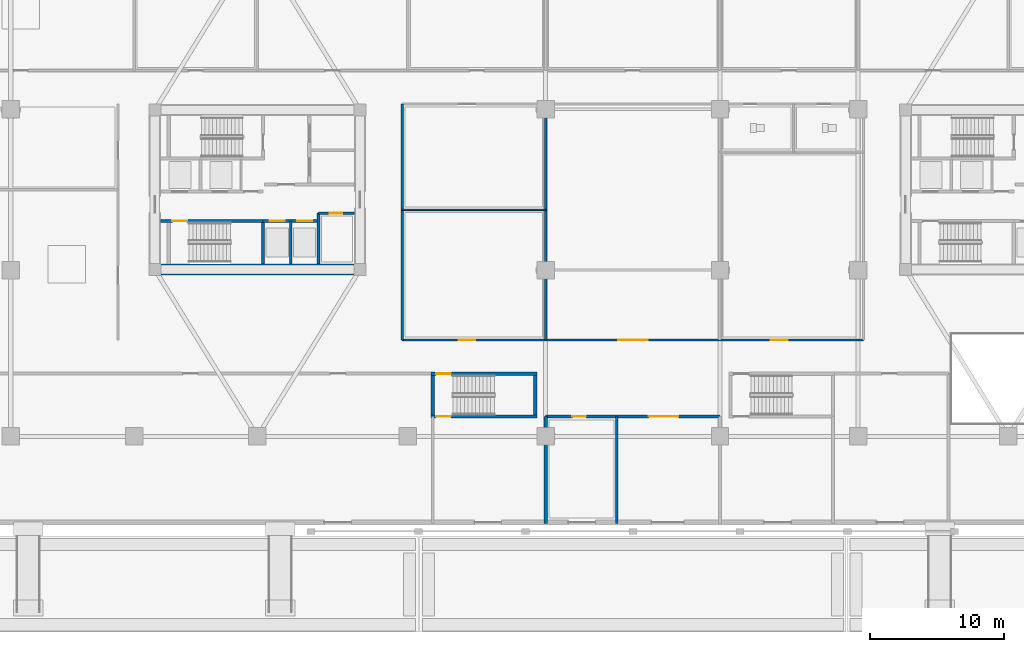
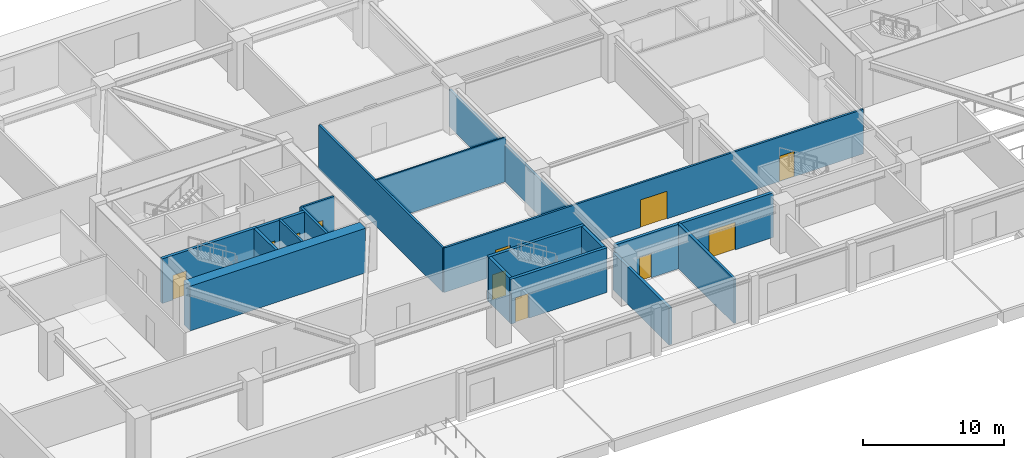
# One storey, part 5 of 22: 18 walls, 11 doors, 11 openings.
"""IFC4 building model written with IfcOpenShell, lengths in metres."""

from ifc_helpers import new_model, si_unit, direction, frame, frame_2d, origin, place, context, subcontext, project, spatial, rectangle, extrude, source, transform, mapped, material, layer, layer_set, type_object, type_shapes, element, fill, save


model = new_model("IFC4")

# Units and contexts
model_context = context("Model", 3, precision=1e-05, world=origin(), true_north=direction((0.0, 1.0)))
body_context = subcontext(model_context, "Body", "Model", "MODEL_VIEW")
ifc_project = project(units=[si_unit("LENGTHUNIT", "METRE"), si_unit("AREAUNIT", "SQUARE_METRE"), si_unit("VOLUMEUNIT", "CUBIC_METRE"), si_unit("PLANEANGLEUNIT", "RADIAN"), si_unit("MASSUNIT", "GRAM", prefix="KILO")], contexts=[model_context])

# Site, building, storey
site_placement = place(None, origin())
site = spatial("IfcSite", under=ifc_project, at=site_placement, CompositionType="ELEMENT")
building_placement = place(site_placement, origin())
building = spatial("IfcBuilding", under=site, at=building_placement, Name="Norrkilde Senior Care Towers", CompositionType="ELEMENT")
storey_placement = place(building_placement, origin())
storey = spatial("IfcBuildingStorey", under=building, at=storey_placement, Name="L00", CompositionType="ELEMENT", Elevation=0.0)

# Wall
ifc_material_1 = material(Name="Concrete C60/75", Category="concrete")
ifc_layer_1 = layer(ifc_material_1, 0.85009765625)
ifc_layer_set_1 = layer_set([ifc_layer_1], Name="Concrete C60/75")
wall_type_1 = type_object("IfcWallType", Name="Core Shear Wall Z1 850", PredefinedType="SHEAR", material=ifc_layer_set_1)
shared_shape_1 = source(origin(), body_context, "Body", "SweptSolid", [
    extrude(rectangle(XDim=14.39990234375, YDim=0.85009765625, at=frame_2d((7.199951171875, 0.0))), origin(), (0.0, 0.0, 1.0), 3.8798828125),
])
type_shapes(wall_type_1, [shared_shape_1])
wall_1_placement = place(storey_placement, frame((-20.800048828125, -5.949951171875, 0.0), z_axis=(0.0, 0.0, 1.0), x_axis=(-1.0, 0.0, 0.0)))
element("IfcWall", 1, at=wall_1_placement, inside=storey, type_object=wall_type_1, Name="L00 Core W South Shear Wall", PredefinedType="SHEAR", context=body_context, shape_type="MappedRepresentation", body=[
    mapped(shared_shape_1, transform((0.0, 0.0, 0.0), x_axis=(1.0, 0.0, 0.0), y_axis=(0.0, 1.0, 0.0), z_axis=(0.0, 0.0, 1.0), scale=1.0)),
])

# Wall, opening, door
ifc_material_2 = material(Name="Concrete C45/55", Category="concrete")
ifc_layer_2 = layer(ifc_material_2, 0.239990234375)
ifc_layer_set_2 = layer_set([ifc_layer_2], Name="Concrete C45/55")
wall_type_2 = type_object("IfcWallType", Name="Shaft and Stair Enclosure Wall 240", PredefinedType="PARTITIONING", material=ifc_layer_set_2)
shared_shape_2 = source(origin(), body_context, "Body", "SweptSolid", [
    extrude(rectangle(XDim=7.76513671875, YDim=0.239990234375, at=frame_2d((3.882568359375, 0.0))), origin(), (0.0, 0.0, 1.0), 3.8798828125),
])
wall_2_placement = place(storey_placement, frame((-35.22509765625, -2.330078125, 0.0), z_axis=(0.0, 0.0, 1.0), x_axis=(1.0, 0.0, 0.0)))
wall_2 = element("IfcWall", 2, at=wall_2_placement, inside=storey, type_object=wall_type_2, Name="WL-INT-L00-W-ST2N", PredefinedType="PARTITIONING", context=body_context, shape_type="MappedRepresentation", body=[
    mapped(shared_shape_2, transform((0.0, 0.0, 0.0), x_axis=(1.0, 0.0, 0.0), y_axis=(0.0, 1.0, 0.0), z_axis=(0.0, 0.0, 1.0), scale=1.0)),
])
opening_1_placement = place(wall_2_placement, frame((0.885009765625, 0.0, 0.0)))
opening_1 = element("IfcOpeningElement", 3, at=opening_1_placement, cuts=wall_2, Name="Opening D-03", PredefinedType="OPENING", context=body_context, shape_type="SweptSolid", body=[
    extrude(rectangle(XDim=1.10009765625, YDim=2.14990234375, at=frame_2d((0.550048828125, 1.074951171875))), frame((0.0, 0.1298828125, 0.0), z_axis=(0.0, -1.0, 0.0), x_axis=(1.0, 0.0, 0.0)), (0.0, 0.0, 1.0), 0.260009765625),
])
ifc_material_3 = material(Name="Galvanised Painted Steel", Category="steel")
door_type_1 = type_object("IfcDoorType", Name="Stairwell Protected Fire Door 1100x2150", OperationType="NOTDEFINED", PredefinedType="DOOR", material=ifc_material_3)
shared_shape_3 = source(origin(), body_context, "Body", "SweptSolid", [
    extrude(rectangle(XDim=1.10009765625, YDim=2.14990234375, at=frame_2d((0.550048828125, 1.074951171875))), frame((0.0, 0.02490234375, 0.0), z_axis=(0.0, -1.0, 0.0), x_axis=(1.0, 0.0, 0.0)), (0.0, 0.0, 1.0), 0.050048828125),
])
type_shapes(door_type_1, [shared_shape_3])
door_1_placement = place(opening_1_placement, frame((1.10009765625, 0.0, 0.0), z_axis=(0.0, 0.0, 1.0), x_axis=(-1.0, 0.0, 0.0)))
door_1 = element("IfcDoor", 4, at=door_1_placement, inside=storey, type_object=door_type_1, Name="L00 Stair W2 Fire Door", OperationType="SINGLE_SWING_RIGHT", OverallHeight=2.14990234375, OverallWidth=1.10009765625, PredefinedType="DOOR", context=body_context, shape_type="MappedRepresentation", body=[
    mapped(shared_shape_3, transform((0.0, 0.0, 0.0), x_axis=(1.0, 0.0, 0.0), y_axis=(0.0, 1.0, 0.0), z_axis=(0.0, 0.0, 1.0), scale=1.0)),
])
fill(opening_1, door_1)

# Walls
shared_shape_4 = source(origin(), body_context, "Body", "SweptSolid", [
    extrude(rectangle(XDim=3.074951171875, YDim=0.239990234375, at=frame_2d((1.53759765625, 0.0))), origin(), (0.0, 0.0, 1.0), 3.8798828125),
])
wall_3_placement = place(storey_placement, frame((-27.580078125, -5.52490234375, 0.0), z_axis=(0.0, 0.0, 1.0), x_axis=(0.0, 1.0, 0.0)))
element("IfcWall", 5, at=wall_3_placement, inside=storey, type_object=wall_type_2, Name="WL-INT-L00-W-ST2E", PredefinedType="PARTITIONING", context=body_context, shape_type="MappedRepresentation", body=[
    mapped(shared_shape_4, transform((0.0, 0.0, 0.0), x_axis=(1.0, 0.0, 0.0), y_axis=(0.0, 1.0, 0.0), z_axis=(0.0, 0.0, 1.0), scale=1.0)),
])
ifc_layer_3 = layer(ifc_material_2, 0.199951171875)
ifc_layer_set_3 = layer_set([ifc_layer_3], Name="Concrete C45/55")
wall_type_3 = type_object("IfcWallType", Name="Shaft Division and Plant Partition 200", PredefinedType="PARTITIONING", material=ifc_layer_set_3)
shared_shape_5 = source(origin(), body_context, "Body", "SweptSolid", [
    extrude(rectangle(XDim=3.800048828125, YDim=0.199951171875, at=frame_2d((1.89990234375, 0.0))), origin(), (0.0, 0.0, 1.0), 3.864990234375),
])
wall_4_placement = place(storey_placement, frame((-23.449951171875, -5.550048828125, 0.0), z_axis=(0.0, 0.0, 1.0), x_axis=(0.0, 1.0, 0.0)))
element("IfcWall", 6, at=wall_4_placement, inside=storey, type_object=wall_type_3, Name="WL-INT-L00-W-PKBE", PredefinedType="PARTITIONING", context=body_context, shape_type="MappedRepresentation", body=[
    mapped(shared_shape_5, transform((0.0, 0.0, 0.0), x_axis=(1.0, 0.0, 0.0), y_axis=(0.0, 1.0, 0.0), z_axis=(0.0, 0.0, 1.0), scale=1.0)),
])

# Wall, openings, doors
ifc_layer_4 = layer(ifc_material_2, 0.239990234375)
ifc_layer_set_4 = layer_set([ifc_layer_4], Name="Concrete C45/55")
wall_type_4 = type_object("IfcWallType", Name="Lift and Plant Rated Enclosure Partition 240", PredefinedType="PARTITIONING", material=ifc_layer_set_4)
shared_shape_6 = source(origin(), body_context, "Body", "SweptSolid", [
    extrude(rectangle(XDim=4.130126953125, YDim=0.239990234375, at=frame_2d((2.06494140625, 0.0))), origin(), (0.0, 0.0, 1.0), 3.864990234375),
])
wall_5_placement = place(storey_placement, frame((-27.580078125, -2.330078125, 0.0), z_axis=(0.0, 0.0, 1.0), x_axis=(1.0, 0.0, 0.0)))
wall_5 = element("IfcWall", 7, at=wall_5_placement, inside=storey, type_object=wall_type_4, Name="WL-INT-L00-W-PKBN", PredefinedType="PARTITIONING", context=body_context, shape_type="MappedRepresentation", body=[
    mapped(shared_shape_6, transform((0.0, 0.0, 0.0), x_axis=(1.0, 0.0, 0.0), y_axis=(0.0, 1.0, 0.0), z_axis=(0.0, 0.0, 1.0), scale=1.0)),
])
opening_2_placement = place(wall_5_placement, frame((0.5, 0.0, 0.0)))
opening_2 = element("IfcOpeningElement", 8, at=opening_2_placement, cuts=wall_5, Name="Opening LD-01", PredefinedType="OPENING", context=body_context, shape_type="SweptSolid", body=[
    extrude(rectangle(XDim=1.10009765625, YDim=2.199951171875, at=frame_2d((0.550048828125, 1.10009765625))), frame((0.0, 0.1298828125, 0.0), z_axis=(0.0, -1.0, 0.0), x_axis=(1.0, 0.0, 0.0)), (0.0, 0.0, 1.0), 0.260009765625),
])
opening_3_placement = place(wall_5_placement, frame((2.550048828125, 0.0, 0.0)))
opening_3 = element("IfcOpeningElement", 9, at=opening_3_placement, cuts=wall_5, Name="Opening LD-01", PredefinedType="OPENING", context=body_context, shape_type="SweptSolid", body=[
    extrude(rectangle(XDim=1.10009765625, YDim=2.199951171875, at=frame_2d((0.550048828125, 1.10009765625))), frame((0.0, 0.1298828125, 0.0), z_axis=(0.0, -1.0, 0.0), x_axis=(1.0, 0.0, 0.0)), (0.0, 0.0, 1.0), 0.260009765625),
])
ifc_material_4 = material(Name="Stainless Steel", Category="steel")
door_type_2 = type_object("IfcDoorType", Name="Lift Landing Sliding Door 1100x2200", OperationType="NOTDEFINED", PredefinedType="DOOR", material=ifc_material_4)
shared_shape_7 = source(origin(), body_context, "Body", "SweptSolid", [
    extrude(rectangle(XDim=1.10009765625, YDim=2.199951171875, at=frame_2d((0.550048828125, 1.10009765625))), frame((0.0, 0.02490234375, 0.0), z_axis=(0.0, -1.0, 0.0), x_axis=(1.0, 0.0, 0.0)), (0.0, 0.0, 1.0), 0.050048828125),
])
type_shapes(door_type_2, [shared_shape_7])
door_2_placement = place(opening_2_placement, frame((1.10009765625, 0.0, 0.0), z_axis=(0.0, 0.0, 1.0), x_axis=(-1.0, 0.0, 0.0)))
door_2 = element("IfcDoor", 10, at=door_2_placement, inside=storey, type_object=door_type_2, Name="L00 Passenger Lift W3 Landing Door", OperationType="SLIDING_TO_LEFT", OverallHeight=2.199951171875, OverallWidth=1.10009765625, PredefinedType="DOOR", context=body_context, shape_type="MappedRepresentation", body=[
    mapped(shared_shape_7, transform((0.0, 0.0, 0.0), x_axis=(1.0, 0.0, 0.0), y_axis=(0.0, 1.0, 0.0), z_axis=(0.0, 0.0, 1.0), scale=1.0)),
])
fill(opening_2, door_2)
door_3_placement = place(opening_3_placement, frame((1.10009765625, 0.0, 0.0), z_axis=(0.0, 0.0, 1.0), x_axis=(-1.0, 0.0, 0.0)))
door_3 = element("IfcDoor", 11, at=door_3_placement, inside=storey, type_object=door_type_2, Name="L00 Passenger Lift W4 Landing Door", OperationType="SLIDING_TO_RIGHT", OverallHeight=2.199951171875, OverallWidth=1.10009765625, PredefinedType="DOOR", context=body_context, shape_type="MappedRepresentation", body=[
    mapped(shared_shape_7, transform((0.0, 0.0, 0.0), x_axis=(1.0, 0.0, 0.0), y_axis=(0.0, 1.0, 0.0), z_axis=(0.0, 0.0, 1.0), scale=1.0)),
])
fill(opening_3, door_3)

# Wall
ifc_layer_5 = layer(ifc_material_2, 0.179931640625)
ifc_layer_set_5 = layer_set([ifc_layer_5], Name="Concrete C45/55")
wall_type_5 = type_object("IfcWallType", Name="Hoistway Division Rated Partition 180", PredefinedType="PARTITIONING", material=ifc_layer_set_5)
shared_shape_8 = source(origin(), body_context, "Body", "SweptSolid", [
    extrude(rectangle(XDim=3.219970703125, YDim=0.179931640625, at=frame_2d((1.60986328125, 0.0))), origin(), (0.0, 0.0, 1.0), 3.864990234375),
])
type_shapes(wall_type_5, [shared_shape_8])
wall_6_placement = place(storey_placement, frame((-25.5, -5.550048828125, 0.0), z_axis=(0.0, 0.0, 1.0), x_axis=(0.0, 1.0, 0.0)))
element("IfcWall", 12, at=wall_6_placement, inside=storey, type_object=wall_type_5, Name="WL-INT-L00-W-PL34", PredefinedType="PARTITIONING", context=body_context, shape_type="MappedRepresentation", body=[
    mapped(shared_shape_8, transform((0.0, 0.0, 0.0), x_axis=(1.0, 0.0, 0.0), y_axis=(0.0, 1.0, 0.0), z_axis=(0.0, 0.0, 1.0), scale=1.0)),
])

# Wall, opening, door
ifc_material_5 = material(Name="Gypsum Acoustic Board")
ifc_layer_6 = layer(ifc_material_5, 0.1650390625)
ifc_layer_set_6 = layer_set([ifc_layer_6], Name="Gypsum Acoustic Board")
wall_type_6 = type_object("IfcWallType", Name="Corridor Rated Partition 165", PredefinedType="PARTITIONING", material=ifc_layer_set_6)
shared_shape_9 = source(origin(), body_context, "Body", "SweptSolid", [
    extrude(rectangle(XDim=2.699951171875, YDim=0.1650390625, at=frame_2d((1.35009765625, 0.0))), origin(), (0.0, 0.0, 1.0), 3.864990234375),
])
wall_7_placement = place(storey_placement, frame((-23.449951171875, -1.75, 0.0), z_axis=(0.0, 0.0, 1.0), x_axis=(1.0, 0.0, 0.0)))
wall_7 = element("IfcWall", 13, at=wall_7_placement, inside=storey, type_object=wall_type_6, Name="WL-INT-L00-W-CSN", PredefinedType="PARTITIONING", context=body_context, shape_type="MappedRepresentation", body=[
    mapped(shared_shape_9, transform((0.0, 0.0, 0.0), x_axis=(1.0, 0.0, 0.0), y_axis=(0.0, 1.0, 0.0), z_axis=(0.0, 0.0, 1.0), scale=1.0)),
])
opening_4_placement = place(wall_7_placement, frame((0.85009765625, 0.0, 0.0)))
opening_4 = element("IfcOpeningElement", 14, at=opening_4_placement, cuts=wall_7, Name="Opening D-12", PredefinedType="OPENING", context=body_context, shape_type="SweptSolid", body=[
    extrude(rectangle(XDim=0.925048828125, YDim=2.10009765625, at=frame_2d((0.46240234375, 1.050048828125))), frame((0.0, 0.092529296875, 0.0), z_axis=(0.0, -1.0, 0.0), x_axis=(1.0, 0.0, 0.0)), (0.0, 0.0, 1.0), 0.18505859375),
])
door_type_3 = type_object("IfcDoorType", Name="Core Wet Room Rated Door 925x2100", OperationType="NOTDEFINED", PredefinedType="DOOR", material=ifc_material_3)
shared_shape_10 = source(origin(), body_context, "Body", "SweptSolid", [
    extrude(rectangle(XDim=0.925048828125, YDim=2.10009765625, at=frame_2d((0.46240234375, 1.050048828125))), frame((0.0, 0.02490234375, 0.0), z_axis=(0.0, -1.0, 0.0), x_axis=(1.0, 0.0, 0.0)), (0.0, 0.0, 1.0), 0.050048828125),
])
type_shapes(door_type_3, [shared_shape_10])
door_4_placement = place(opening_4_placement, origin())
door_4 = element("IfcDoor", 15, at=door_4_placement, inside=storey, type_object=door_type_3, Name="L00 Core Utility W Door", OperationType="SINGLE_SWING_LEFT", OverallHeight=2.10009765625, OverallWidth=0.925048828125, PredefinedType="DOOR", context=body_context, shape_type="MappedRepresentation", body=[
    mapped(shared_shape_10, transform((0.0, 0.0, 0.0), x_axis=(1.0, 0.0, 0.0), y_axis=(0.0, 1.0, 0.0), z_axis=(0.0, 0.0, 1.0), scale=1.0)),
])
fill(opening_4, door_4)

shared_shape_11 = source(origin(), body_context, "Body", "SweptSolid", [
    extrude(rectangle(XDim=7.880126953125, YDim=0.239990234375, at=frame_2d((3.93994140625, 0.0))), origin(), (0.0, 0.0, 1.0), 3.8798828125),
])
wall_8_placement = place(storey_placement, frame((-15.0400390625, -13.72998046875, 0.0), z_axis=(0.0, 0.0, 1.0), x_axis=(1.0, 0.0, 0.0)))
wall_8 = element("IfcWall", 16, at=wall_8_placement, inside=storey, type_object=wall_type_2, Name="WL-INT-L00-STP1-N", PredefinedType="PARTITIONING", context=body_context, shape_type="MappedRepresentation", body=[
    mapped(shared_shape_11, transform((0.0, 0.0, 0.0), x_axis=(1.0, 0.0, 0.0), y_axis=(0.0, 1.0, 0.0), z_axis=(0.0, 0.0, 1.0), scale=1.0)),
])
opening_5_placement = place(wall_8_placement, frame((0.3701171875, 0.0, 0.0)))
opening_5 = element("IfcOpeningElement", 17, at=opening_5_placement, cuts=wall_8, Name="Opening D-03", PredefinedType="OPENING", context=body_context, shape_type="SweptSolid", body=[
    extrude(rectangle(XDim=1.10009765625, YDim=2.14990234375, at=frame_2d((0.550048828125, 1.074951171875))), frame((0.0, 0.1298828125, 0.0), z_axis=(0.0, -1.0, 0.0), x_axis=(1.0, 0.0, 0.0)), (0.0, 0.0, 1.0), 0.260009765625),
])
door_5_placement = place(opening_5_placement, origin())
door_5 = element("IfcDoor", 18, at=door_5_placement, inside=storey, type_object=door_type_1, Name="L00 Podium Stair P1 Door", OperationType="SINGLE_SWING_LEFT", OverallHeight=2.14990234375, OverallWidth=1.10009765625, PredefinedType="DOOR", context=body_context, shape_type="MappedRepresentation", body=[
    mapped(shared_shape_3, transform((0.0, 0.0, 0.0), x_axis=(1.0, 0.0, 0.0), y_axis=(0.0, 1.0, 0.0), z_axis=(0.0, 0.0, 1.0), scale=1.0)),
])
fill(opening_5, door_5)

wall_9_placement = place(storey_placement, frame((-15.0400390625, -16.919921875, 0.0), z_axis=(0.0, 0.0, 1.0), x_axis=(1.0, 0.0, 0.0)))
wall_9 = element("IfcWall", 19, at=wall_9_placement, inside=storey, type_object=wall_type_2, Name="WL-INT-L00-STP1-S", PredefinedType="PARTITIONING", context=body_context, shape_type="MappedRepresentation", body=[
    mapped(shared_shape_11, transform((0.0, 0.0, 0.0), x_axis=(1.0, 0.0, 0.0), y_axis=(0.0, 1.0, 0.0), z_axis=(0.0, 0.0, 1.0), scale=1.0)),
])
opening_6_placement = place(wall_9_placement, frame((0.3701171875, 0.0, 0.0)))
opening_6 = element("IfcOpeningElement", 20, at=opening_6_placement, cuts=wall_9, Name="Opening D-03", PredefinedType="OPENING", context=body_context, shape_type="SweptSolid", body=[
    extrude(rectangle(XDim=1.10009765625, YDim=2.14990234375, at=frame_2d((0.550048828125, 1.074951171875))), frame((0.0, 0.1298828125, 0.0), z_axis=(0.0, -1.0, 0.0), x_axis=(1.0, 0.0, 0.0)), (0.0, 0.0, 1.0), 0.260009765625),
])
door_6_placement = place(opening_6_placement, frame((1.10009765625, 0.0, 0.0), z_axis=(0.0, 0.0, 1.0), x_axis=(-1.0, 0.0, 0.0)))
door_6 = element("IfcDoor", 21, at=door_6_placement, inside=storey, type_object=door_type_1, Name="L00 Podium Stair P1 Exit Discharge Door", OperationType="SINGLE_SWING_RIGHT", OverallHeight=2.14990234375, OverallWidth=1.10009765625, PredefinedType="DOOR", context=body_context, shape_type="MappedRepresentation", body=[
    mapped(shared_shape_3, transform((0.0, 0.0, 0.0), x_axis=(1.0, 0.0, 0.0), y_axis=(0.0, 1.0, 0.0), z_axis=(0.0, 0.0, 1.0), scale=1.0)),
])
fill(opening_6, door_6)

# Walls
shared_shape_12 = source(origin(), body_context, "Body", "SweptSolid", [
    extrude(rectangle(XDim=2.949951171875, YDim=0.239990234375, at=frame_2d((1.47509765625, 0.0))), origin(), (0.0, 0.0, 1.0), 3.8798828125),
])
type_shapes(wall_type_2, [shared_shape_2, shared_shape_4, shared_shape_11, shared_shape_12])
for number, where, z_axis, x_axis, name in (
    (22, (-14.919921875, -16.800048828125, 0.0), (0.0, 0.0, 1.0), (0.0, 1.0, 0.0), "WL-INT-L00-STP1-W"),
    (23, (-7.280029296875, -16.800048828125, 0.0), (0.0, 0.0, 1.0), (0.0, 1.0, 0.0), "WL-INT-L00-STP1-E"),
):
    element("IfcWall", number, at=place(storey_placement, frame(where, z_axis=z_axis, x_axis=x_axis)), inside=storey, type_object=wall_type_2, Name=name, PredefinedType="PARTITIONING", context=body_context, shape_type="MappedRepresentation", body=[
        mapped(shared_shape_12, transform((0.0, 0.0, 0.0), x_axis=(1.0, 0.0, 0.0), y_axis=(0.0, 1.0, 0.0), z_axis=(0.0, 0.0, 1.0), scale=1.0)),
    ])
shared_shape_13 = source(origin(), body_context, "Body", "SweptSolid", [
    extrude(rectangle(XDim=17.599853515625, YDim=0.1650390625, at=frame_2d((8.7998046875, 0.0))), origin(), (0.0, 0.0, 1.0), 3.864990234375),
])
wall_10_placement = place(storey_placement, frame((-17.199951171875, -11.199951171875, 0.0), z_axis=(0.0, 0.0, 1.0), x_axis=(0.0, 1.0, 0.0)))
element("IfcWall", 24, at=wall_10_placement, inside=storey, type_object=wall_type_6, Name="WL-INT-L00-POD-W", PredefinedType="PARTITIONING", context=body_context, shape_type="MappedRepresentation", body=[
    mapped(shared_shape_13, transform((0.0, 0.0, 0.0), x_axis=(1.0, 0.0, 0.0), y_axis=(0.0, 1.0, 0.0), z_axis=(0.0, 0.0, 1.0), scale=1.0)),
])

# Wall, openings, doors
shared_shape_14 = source(origin(), body_context, "Body", "SweptSolid", [
    extrude(rectangle(XDim=34.39990234375, YDim=0.1650390625, at=frame_2d((17.199951171875, 0.0))), origin(), (0.0, 0.0, 1.0), 3.864990234375),
])
type_shapes(wall_type_6, [shared_shape_9, shared_shape_13, shared_shape_14])
wall_11_placement = place(storey_placement, frame((-17.199951171875, -11.199951171875, 0.0), z_axis=(0.0, 0.0, 1.0), x_axis=(1.0, 0.0, 0.0)))
wall_11 = element("IfcWall", 25, at=wall_11_placement, inside=storey, type_object=wall_type_6, Name="WL-INT-L00-POD-CS", PredefinedType="PARTITIONING", context=body_context, shape_type="MappedRepresentation", body=[
    mapped(shared_shape_14, transform((0.0, 0.0, 0.0), x_axis=(1.0, 0.0, 0.0), y_axis=(0.0, 1.0, 0.0), z_axis=(0.0, 0.0, 1.0), scale=1.0)),
])
opening_7_placement = place(wall_11_placement, frame((4.199951171875, 0.0, 0.0)))
opening_7 = element("IfcOpeningElement", 26, at=opening_7_placement, cuts=wall_11, Name="Opening D-05", PredefinedType="OPENING", context=body_context, shape_type="SweptSolid", body=[
    extrude(rectangle(XDim=1.25, YDim=2.199951171875, at=frame_2d((0.625, 1.10009765625))), frame((0.0, 0.092529296875, 0.0), z_axis=(0.0, -1.0, 0.0), x_axis=(1.0, 0.0, 0.0)), (0.0, 0.0, 1.0), 0.18505859375),
])
opening_8_placement = place(wall_11_placement, frame((16.10009765625, 0.0, 0.0)))
opening_8 = element("IfcOpeningElement", 27, at=opening_8_placement, cuts=wall_11, Name="Opening D-01I", PredefinedType="OPENING", context=body_context, shape_type="SweptSolid", body=[
    extrude(rectangle(XDim=2.199951171875, YDim=2.39990234375, at=frame_2d((1.10009765625, 1.199951171875))), frame((0.0, 0.092529296875, 0.0), z_axis=(0.0, -1.0, 0.0), x_axis=(1.0, 0.0, 0.0)), (0.0, 0.0, 1.0), 0.18505859375),
])
opening_9_placement = place(wall_11_placement, frame((27.5, 0.0, 0.0)))
opening_9 = element("IfcOpeningElement", 28, at=opening_9_placement, cuts=wall_11, Name="Opening D-05", PredefinedType="OPENING", context=body_context, shape_type="SweptSolid", body=[
    extrude(rectangle(XDim=1.25, YDim=2.199951171875, at=frame_2d((0.625, 1.10009765625))), frame((0.0, 0.092529296875, 0.0), z_axis=(0.0, -1.0, 0.0), x_axis=(1.0, 0.0, 0.0)), (0.0, 0.0, 1.0), 0.18505859375),
])
ifc_material_6 = material(Name="Nordic Ash Timber", Category="wood")
door_type_4 = type_object("IfcDoorType", Name="Care Bedroom Bariatric Door 1250x2200", OperationType="NOTDEFINED", PredefinedType="DOOR", material=ifc_material_6)
shared_shape_15 = source(origin(), body_context, "Body", "SweptSolid", [
    extrude(rectangle(XDim=1.25, YDim=2.199951171875, at=frame_2d((0.625, 1.10009765625))), frame((0.0, 0.02490234375, 0.0), z_axis=(0.0, -1.0, 0.0), x_axis=(1.0, 0.0, 0.0)), (0.0, 0.0, 1.0), 0.050048828125),
])
type_shapes(door_type_4, [shared_shape_15])
door_7_placement = place(opening_7_placement, origin())
door_7 = element("IfcDoor", 29, at=door_7_placement, inside=storey, type_object=door_type_4, Name="L00 Clinic West South Door", OperationType="SINGLE_SWING_LEFT", OverallHeight=2.199951171875, OverallWidth=1.25, PredefinedType="DOOR", context=body_context, shape_type="MappedRepresentation", body=[
    mapped(shared_shape_15, transform((0.0, 0.0, 0.0), x_axis=(1.0, 0.0, 0.0), y_axis=(0.0, 1.0, 0.0), z_axis=(0.0, 0.0, 1.0), scale=1.0)),
])
fill(opening_7, door_7)
door_8_placement = place(opening_9_placement, origin())
door_8 = element("IfcDoor", 30, at=door_8_placement, inside=storey, type_object=door_type_4, Name="L00 Clinic East South Door", OperationType="SINGLE_SWING_RIGHT", OverallHeight=2.199951171875, OverallWidth=1.25, PredefinedType="DOOR", context=body_context, shape_type="MappedRepresentation", body=[
    mapped(shared_shape_15, transform((0.0, 0.0, 0.0), x_axis=(1.0, 0.0, 0.0), y_axis=(0.0, 1.0, 0.0), z_axis=(0.0, 0.0, 1.0), scale=1.0)),
])
fill(opening_9, door_8)
ifc_material_7 = material(Name="Anodised Aluminium", Category="aluminium")
door_type_5 = type_object("IfcDoorType", Name="Interior Vestibule Double Glazed Door 2200x2400", OperationType="NOTDEFINED", PredefinedType="DOOR", material=ifc_material_7)
shared_shape_16 = source(origin(), body_context, "Body", "SweptSolid", [
    extrude(rectangle(XDim=2.199951171875, YDim=2.39990234375, at=frame_2d((1.10009765625, 1.199951171875))), frame((0.0, 0.02490234375, 0.0), z_axis=(0.0, -1.0, 0.0), x_axis=(1.0, 0.0, 0.0)), (0.0, 0.0, 1.0), 0.050048828125),
])
type_shapes(door_type_5, [shared_shape_16])
door_9_placement = place(opening_8_placement, origin())
door_9 = element("IfcDoor", 31, at=door_9_placement, inside=storey, type_object=door_type_5, Name="L00 Central Hall South Door", OperationType="DOUBLE_DOOR_SINGLE_SWING", OverallHeight=2.39990234375, OverallWidth=2.199951171875, PredefinedType="DOOR", context=body_context, shape_type="MappedRepresentation", body=[
    mapped(shared_shape_16, transform((0.0, 0.0, 0.0), x_axis=(1.0, 0.0, 0.0), y_axis=(0.0, 1.0, 0.0), z_axis=(0.0, 0.0, 1.0), scale=1.0)),
])
fill(opening_8, door_9)

# Walls
ifc_layer_7 = layer(ifc_material_5, 0.18994140625)
ifc_layer_set_7 = layer_set([ifc_layer_7], Name="Gypsum Acoustic Board")
wall_type_7 = type_object("IfcWallType", Name="Unit Demising Acoustic Wall 190", PredefinedType="PARTITIONING", material=ifc_layer_set_7)
shared_shape_17 = source(origin(), body_context, "Body", "SweptSolid", [
    extrude(rectangle(XDim=17.599853515625, YDim=0.18994140625, at=frame_2d((8.7998046875, 0.0))), origin(), (0.0, 0.0, 1.0), 3.215087890625),
])
type_shapes(wall_type_7, [shared_shape_17])
wall_12_placement = place(storey_placement, frame((-6.5, -11.199951171875, 0.0), z_axis=(0.0, 0.0, 1.0), x_axis=(0.0, 1.0, 0.0)))
element("IfcWall", 32, at=wall_12_placement, inside=storey, type_object=wall_type_7, Name="WL-INT-L00-POD-M1", PredefinedType="PARTITIONING", context=body_context, shape_type="MappedRepresentation", body=[
    mapped(shared_shape_17, transform((0.0, 0.0, 0.0), x_axis=(1.0, 0.0, 0.0), y_axis=(0.0, 1.0, 0.0), z_axis=(0.0, 0.0, 1.0), scale=1.0)),
])
ifc_layer_8 = layer(ifc_material_5, 0.114990234375)
ifc_layer_set_8 = layer_set([ifc_layer_8], Name="Gypsum Acoustic Board")
wall_type_8 = type_object("IfcWallType", Name="Internal Room Partition 115", PredefinedType="PARTITIONING", material=ifc_layer_set_8)
shared_shape_18 = source(origin(), body_context, "Body", "SweptSolid", [
    extrude(rectangle(XDim=10.699951171875, YDim=0.114990234375, at=frame_2d((5.35009765625, 0.0))), origin(), (0.0, 0.0, 1.0), 3.864990234375),
])
type_shapes(wall_type_8, [shared_shape_18])
wall_13_placement = place(storey_placement, frame((-17.199951171875, -1.5, 0.0), z_axis=(0.0, 0.0, 1.0), x_axis=(1.0, 0.0, 0.0)))
element("IfcWall", 33, at=wall_13_placement, inside=storey, type_object=wall_type_8, Name="WL-INT-L00-POD-SL", PredefinedType="PARTITIONING", context=body_context, shape_type="MappedRepresentation", body=[
    mapped(shared_shape_18, transform((0.0, 0.0, 0.0), x_axis=(1.0, 0.0, 0.0), y_axis=(0.0, 1.0, 0.0), z_axis=(0.0, 0.0, 1.0), scale=1.0)),
])

# Wall, openings, doors
shared_shape_19 = source(origin(), body_context, "Body", "SweptSolid", [
    extrude(rectangle(XDim=13.0, YDim=0.239990234375, at=frame_2d((6.5, 0.0))), origin(), (0.0, 0.0, 1.0), 3.864990234375),
])
wall_14_placement = place(storey_placement, frame((-6.5, -16.919921875, 0.0), z_axis=(0.0, 0.0, 1.0), x_axis=(1.0, 0.0, 0.0)))
wall_14 = element("IfcWall", 34, at=wall_14_placement, inside=storey, type_object=wall_type_4, Name="WL-INT-L00-FCCN", PredefinedType="PARTITIONING", context=body_context, shape_type="MappedRepresentation", body=[
    mapped(shared_shape_19, transform((0.0, 0.0, 0.0), x_axis=(1.0, 0.0, 0.0), y_axis=(0.0, 1.0, 0.0), z_axis=(0.0, 0.0, 1.0), scale=1.0)),
])
opening_10_placement = place(wall_14_placement, frame((2.0, 0.0, 0.0)))
opening_10 = element("IfcOpeningElement", 35, at=opening_10_placement, cuts=wall_14, Name="Opening D-10", PredefinedType="OPENING", context=body_context, shape_type="SweptSolid", body=[
    extrude(rectangle(XDim=1.0, YDim=2.10009765625, at=frame_2d((0.5, 1.050048828125))), frame((0.0, 0.1298828125, 0.0), z_axis=(0.0, -1.0, 0.0), x_axis=(1.0, 0.0, 0.0)), (0.0, 0.0, 1.0), 0.260009765625),
])
opening_11_placement = place(wall_14_placement, frame((7.699951171875, 0.0, 0.0)))
opening_11 = element("IfcOpeningElement", 36, at=opening_11_placement, cuts=wall_14, Name="Opening D-01I", PredefinedType="OPENING", context=body_context, shape_type="SweptSolid", body=[
    extrude(rectangle(XDim=2.199951171875, YDim=2.39990234375, at=frame_2d((1.10009765625, 1.199951171875))), frame((0.0, 0.1298828125, 0.0), z_axis=(0.0, -1.0, 0.0), x_axis=(1.0, 0.0, 0.0)), (0.0, 0.0, 1.0), 0.260009765625),
])
door_type_6 = type_object("IfcDoorType", Name="Plant and Riser Rated Door 1000x2100", OperationType="NOTDEFINED", PredefinedType="DOOR", material=ifc_material_3)
shared_shape_20 = source(origin(), body_context, "Body", "SweptSolid", [
    extrude(rectangle(XDim=1.0, YDim=2.10009765625, at=frame_2d((0.5, 1.050048828125))), frame((0.0, 0.02490234375, 0.0), z_axis=(0.0, -1.0, 0.0), x_axis=(1.0, 0.0, 0.0)), (0.0, 0.0, 1.0), 0.050048828125),
])
type_shapes(door_type_6, [shared_shape_20])
door_10_placement = place(opening_10_placement, frame((1.0, 0.0, 0.0), z_axis=(0.0, 0.0, 1.0), x_axis=(-1.0, 0.0, 0.0)))
door_10 = element("IfcDoor", 37, at=door_10_placement, inside=storey, type_object=door_type_6, Name="L00 Fire Command Centre Interior Door", OperationType="SINGLE_SWING_LEFT", OverallHeight=2.10009765625, OverallWidth=1.0, PredefinedType="DOOR", context=body_context, shape_type="MappedRepresentation", body=[
    mapped(shared_shape_20, transform((0.0, 0.0, 0.0), x_axis=(1.0, 0.0, 0.0), y_axis=(0.0, 1.0, 0.0), z_axis=(0.0, 0.0, 1.0), scale=1.0)),
])
fill(opening_10, door_10)
door_11_placement = place(opening_11_placement, frame((2.199951171875, 0.0, 0.0), z_axis=(0.0, 0.0, 1.0), x_axis=(-1.0, 0.0, 0.0)))
door_11 = element("IfcDoor", 38, at=door_11_placement, inside=storey, type_object=door_type_5, Name="L00 Main Vestibule Interior Door", OperationType="DOUBLE_DOOR_SINGLE_SWING", OverallHeight=2.39990234375, OverallWidth=2.199951171875, PredefinedType="DOOR", context=body_context, shape_type="MappedRepresentation", body=[
    mapped(shared_shape_16, transform((0.0, 0.0, 0.0), x_axis=(1.0, 0.0, 0.0), y_axis=(0.0, 1.0, 0.0), z_axis=(0.0, 0.0, 1.0), scale=1.0)),
])
fill(opening_11, door_11)

# Walls
shared_shape_21 = source(origin(), body_context, "Body", "SweptSolid", [
    extrude(rectangle(XDim=7.97998046875, YDim=0.239990234375, at=frame_2d((3.989990234375, 0.0))), origin(), (0.0, 0.0, 1.0), 3.215087890625),
])
type_shapes(wall_type_4, [shared_shape_6, shared_shape_19, shared_shape_21])
wall_15_placement = place(storey_placement, frame((-6.5, -24.89990234375, 0.0), z_axis=(0.0, 0.0, 1.0), x_axis=(0.0, 1.0, 0.0)))
element("IfcWall", 39, at=wall_15_placement, inside=storey, type_object=wall_type_4, Name="WL-INT-L00-FCCW", PredefinedType="PARTITIONING", context=body_context, shape_type="MappedRepresentation", body=[
    mapped(shared_shape_21, transform((0.0, 0.0, 0.0), x_axis=(1.0, 0.0, 0.0), y_axis=(0.0, 1.0, 0.0), z_axis=(0.0, 0.0, 1.0), scale=1.0)),
])
shared_shape_22 = source(origin(), body_context, "Body", "SweptSolid", [
    extrude(rectangle(XDim=7.97998046875, YDim=0.199951171875, at=frame_2d((3.989990234375, 0.0))), origin(), (0.0, 0.0, 1.0), 3.864990234375),
])
type_shapes(wall_type_3, [shared_shape_5, shared_shape_22])
wall_16_placement = place(storey_placement, frame((-1.199951171875, -24.89990234375, 0.0), z_axis=(0.0, 0.0, 1.0), x_axis=(0.0, 1.0, 0.0)))
element("IfcWall", 40, at=wall_16_placement, inside=storey, type_object=wall_type_3, Name="WL-INT-L00-FCCM", PredefinedType="PARTITIONING", context=body_context, shape_type="MappedRepresentation", body=[
    mapped(shared_shape_22, transform((0.0, 0.0, 0.0), x_axis=(1.0, 0.0, 0.0), y_axis=(0.0, 1.0, 0.0), z_axis=(0.0, 0.0, 1.0), scale=1.0)),
])

save(model, "model.ifc")
